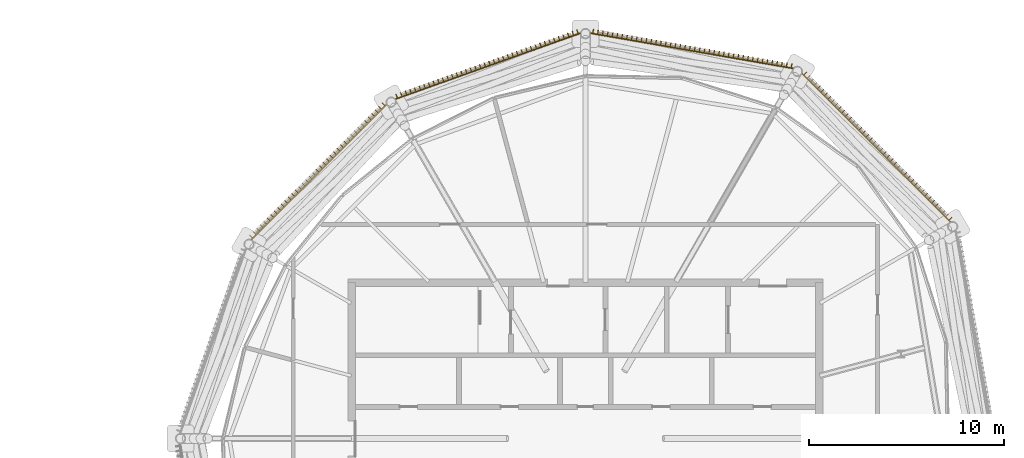
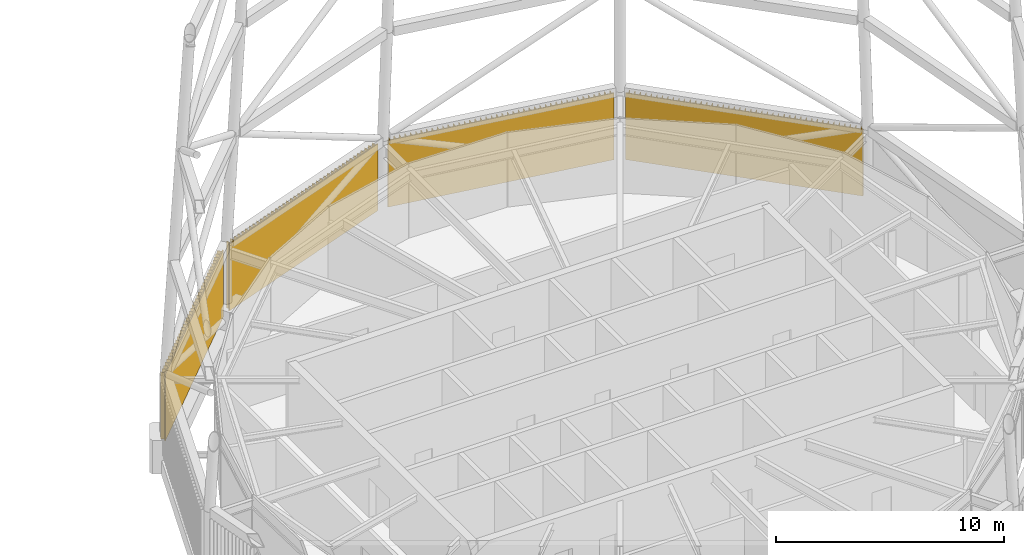
# One storey, part 71 of 71: 4 coverings.
"""IFC4 building model written with IfcOpenShell, lengths in metres."""

from ifc_helpers import new_model, si_unit, direction, frame, origin, place, context, subcontext, project, spatial, polyline, outline, extrude, material, type_object, element, save


model = new_model("IFC4")

# Units and contexts
model_context = context("Model", 3, precision=1e-05, world=origin(), true_north=direction((0.0, 1.0)))
body_context = subcontext(model_context, "Body", "Model", "MODEL_VIEW")
ifc_project = project(units=[si_unit("LENGTHUNIT", "METRE"), si_unit("AREAUNIT", "SQUARE_METRE"), si_unit("VOLUMEUNIT", "CUBIC_METRE"), si_unit("PLANEANGLEUNIT", "RADIAN"), si_unit("MASSUNIT", "GRAM", prefix="KILO")], contexts=[model_context])

# Site, building, storey
site_placement = place(None, origin())
site = spatial("IfcSite", under=ifc_project, at=site_placement, CompositionType="ELEMENT")
building_placement = place(site_placement, origin())
building = spatial("IfcBuilding", under=site, at=building_placement, Name="Rimbun Link Towers", CompositionType="ELEMENT")
storey_placement = place(building_placement, frame((0.0, 0.0, 267.60009765625)))
storey = spatial("IfcBuildingStorey", under=building, at=storey_placement, Name="L65", CompositionType="ELEMENT", Elevation=267.60009765625)

# Coverings
ifc_material = material(Name="Terracotta", Category="masonry")
covering_type = type_object("IfcCoveringType", Name="TERRACOTTA CLADDING screen fins", PredefinedType="CLADDING", material=ifc_material)
covering_1_placement = place(storey_placement, frame((0.0, 0.0, 0.2119140625)))
element("IfcCovering", 1, at=covering_1_placement, inside=storey, type_object=covering_type, Name="TERRACOTTA CLADDING screen", PredefinedType="CLADDING", context=body_context, shape_type="SweptSolid", body=[
    extrude(outline(polyline([(42.441162109375, 19.025390625), (42.33154296875, 19.04443359375), (42.365966796875, 19.241455078125), (42.336181640625, 19.24658203125), (42.302001953125, 19.049560546875), (42.0830078125, 19.087646484375), (42.117431640625, 19.28466796875), (42.087890625, 19.289794921875), (42.053466796875, 19.0927734375), (41.834716796875, 19.130859375), (41.868896484375, 19.327880859375), (41.83935546875, 19.3330078125), (41.804931640625, 19.135986328125), (41.586181640625, 19.17431640625), (41.620361328125, 19.37109375), (41.5908203125, 19.376220703125), (41.556396484375, 19.17919921875), (41.337646484375, 19.21728515625), (41.371826171875, 19.414306640625), (41.34228515625, 19.419677734375), (41.30810546875, 19.222412109375), (41.089111328125, 19.260498046875), (41.123291015625, 19.457763671875), (41.09375, 19.462890625), (41.0595703125, 19.265869140625), (40.840576171875, 19.303955078125), (40.875, 19.5009765625), (40.84521484375, 19.506103515625), (40.81103515625, 19.30908203125), (40.592041015625, 19.34716796875), (40.62646484375, 19.544189453125), (40.5966796875, 19.54931640625), (40.5625, 19.352294921875), (40.343505859375, 19.390380859375), (40.3779296875, 19.58740234375), (40.348388671875, 19.592529296875), (40.31396484375, 19.3955078125), (40.09521484375, 19.43359375), (40.12939453125, 19.630615234375), (40.099853515625, 19.6357421875), (40.0654296875, 19.438720703125), (39.8466796875, 19.476806640625), (39.880859375, 19.673828125), (39.851318359375, 19.678955078125), (39.81689453125, 19.48193359375), (39.59814453125, 19.52001953125), (39.63232421875, 19.717041015625), (39.602783203125, 19.72216796875), (39.568603515625, 19.525146484375), (39.349609375, 19.563232421875), (39.3837890625, 19.76025390625), (39.354248046875, 19.765380859375), (39.320068359375, 19.568359375), (39.10107421875, 19.6064453125), (39.13525390625, 19.803466796875), (39.105712890625, 19.80859375), (39.071533203125, 19.61181640625), (38.8525390625, 19.649658203125), (38.88671875, 19.8466796875), (38.857421875, 19.851806640625), (38.822998046875, 19.65478515625), (38.60400390625, 19.693115234375), (38.63818359375, 19.889892578125), (38.60888671875, 19.895263671875), (38.574462890625, 19.697998046875), (38.355712890625, 19.736083984375), (38.389892578125, 19.933349609375), (38.3603515625, 19.9384765625), (38.325927734375, 19.741455078125), (38.107177734375, 19.779296875), (38.141357421875, 19.9765625), (38.11181640625, 19.981689453125), (38.077392578125, 19.78466796875), (37.858642578125, 19.82275390625), (37.892822265625, 20.019775390625), (37.86328125, 20.02490234375), (37.8291015625, 19.827880859375), (37.610107421875, 19.865966796875), (37.644287109375, 20.06298828125), (37.61474609375, 20.068115234375), (37.58056640625, 19.87109375), (37.361572265625, 19.9091796875), (37.395751953125, 20.106201171875), (37.3662109375, 20.111328125), (37.33203125, 19.914306640625), (37.113037109375, 19.952392578125), (37.147216796875, 20.1494140625), (37.117919921875, 20.154541015625), (37.08349609375, 19.95751953125), (36.864501953125, 19.99560546875), (36.898681640625, 20.192626953125), (36.869384765625, 20.19775390625), (36.8349609375, 20.000732421875), (36.6162109375, 20.038818359375), (36.650390625, 20.23583984375), (36.620849609375, 20.240966796875), (36.58642578125, 20.0439453125), (36.36767578125, 20.08203125), (36.40185546875, 20.279052734375), (36.372314453125, 20.2841796875), (36.337890625, 20.087158203125), (36.119140625, 20.125244140625), (36.1533203125, 20.322509765625), (36.123779296875, 20.327392578125), (36.089599609375, 20.130615234375), (35.87060546875, 20.168701171875), (35.90478515625, 20.365478515625), (35.875244140625, 20.37060546875), (35.841064453125, 20.173583984375), (35.6220703125, 20.2119140625), (35.65625, 20.40869140625), (35.626708984375, 20.4140625), (35.592529296875, 20.216796875), (35.37353515625, 20.2548828125), (35.40771484375, 20.4521484375), (35.37841796875, 20.457275390625), (35.343994140625, 20.26025390625), (35.125, 20.29833984375), (35.1591796875, 20.495361328125), (35.1298828125, 20.50048828125), (35.095458984375, 20.303466796875), (34.87646484375, 20.341552734375), (34.910888671875, 20.53857421875), (34.88134765625, 20.543701171875), (34.846923828125, 20.3466796875), (34.6279296875, 20.384765625), (34.662353515625, 20.581787109375), (34.6328125, 20.5869140625), (34.598388671875, 20.389892578125), (34.37939453125, 20.427978515625), (34.413818359375, 20.625), (34.38427734375, 20.630126953125), (34.35009765625, 20.43310546875), (34.131103515625, 20.47119140625), (34.165283203125, 20.668212890625), (34.1357421875, 20.67333984375), (34.1015625, 20.476318359375), (33.882568359375, 20.514404296875), (33.916748046875, 20.71142578125), (33.88720703125, 20.716552734375), (33.85302734375, 20.51953125), (33.634033203125, 20.5576171875), (33.668212890625, 20.754638671875), (33.638916015625, 20.759765625), (33.6044921875, 20.562744140625), (33.385498046875, 20.600830078125), (33.419921875, 20.7978515625), (33.390380859375, 20.802978515625), (33.35595703125, 20.60595703125), (33.136962890625, 20.64404296875), (33.17138671875, 20.84130859375), (33.141845703125, 20.84619140625), (33.107421875, 20.6494140625), (32.888427734375, 20.6875), (32.9228515625, 20.884521484375), (32.893310546875, 20.889404296875), (32.85888671875, 20.6923828125), (32.639892578125, 20.730712890625), (32.67431640625, 20.927490234375), (32.644775390625, 20.932861328125), (32.610595703125, 20.735595703125), (32.3916015625, 20.773681640625), (32.42578125, 20.970947265625), (32.396240234375, 20.97607421875), (32.362060546875, 20.779052734375), (32.14306640625, 20.817138671875), (32.17724609375, 21.01416015625), (32.147705078125, 21.019287109375), (32.113525390625, 20.822265625), (32.00390625, 20.84130859375), (32.00390625, 20.79052734375), (42.414306640625, 18.979248046875), (42.441162109375, 19.025390625)])), origin(), (0.0, 0.0, 1.0), 3.575927734375),
])
covering_2_placement = place(storey_placement, frame((0.0, 0.0, 0.2119140625)))
element("IfcCovering", 2, at=covering_2_placement, inside=storey, type_object=covering_type, Name="TERRACOTTA CLADDING screen", PredefinedType="CLADDING", context=body_context, shape_type="SweptSolid", body=[
    extrude(outline(polyline([(31.49609375, 20.843505859375), (31.39111328125, 20.80615234375), (31.323974609375, 20.994384765625), (31.295654296875, 20.984375), (31.36279296875, 20.796142578125), (31.153076171875, 20.72119140625), (31.085693359375, 20.909423828125), (31.0576171875, 20.8994140625), (31.124755859375, 20.711181640625), (30.914794921875, 20.63623046875), (30.84765625, 20.82470703125), (30.8193359375, 20.814453125), (30.88671875, 20.626220703125), (30.6767578125, 20.55126953125), (30.609619140625, 20.739501953125), (30.581298828125, 20.7294921875), (30.6484375, 20.541015625), (30.438720703125, 20.46630859375), (30.371337890625, 20.654541015625), (30.34326171875, 20.64453125), (30.410400390625, 20.456298828125), (30.200439453125, 20.38134765625), (30.13330078125, 20.569580078125), (30.10498046875, 20.5595703125), (30.17236328125, 20.37109375), (29.96240234375, 20.29638671875), (29.895263671875, 20.484619140625), (29.866943359375, 20.474609375), (29.93408203125, 20.2861328125), (29.724365234375, 20.211181640625), (29.656982421875, 20.399658203125), (29.62890625, 20.3896484375), (29.696044921875, 20.201416015625), (29.486083984375, 20.12646484375), (29.4189453125, 20.314697265625), (29.390625, 20.3046875), (29.4580078125, 20.1162109375), (29.248046875, 20.04150390625), (29.180908203125, 20.229736328125), (29.152587890625, 20.2197265625), (29.2197265625, 20.03125), (29.010009765625, 19.956298828125), (28.942626953125, 20.144775390625), (28.91455078125, 20.134765625), (28.981689453125, 19.9462890625), (28.771728515625, 19.87158203125), (28.70458984375, 20.059814453125), (28.676513671875, 20.0498046875), (28.74365234375, 19.861328125), (28.53369140625, 19.78662109375), (28.466552734375, 19.974853515625), (28.438232421875, 19.96484375), (28.505615234375, 19.7763671875), (28.295654296875, 19.701416015625), (28.228515625, 19.889892578125), (28.2001953125, 19.8798828125), (28.267333984375, 19.69140625), (28.0576171875, 19.616455078125), (27.990234375, 19.804931640625), (27.9619140625, 19.794921875), (28.029296875, 19.6064453125), (27.8193359375, 19.531494140625), (27.752197265625, 19.719970703125), (27.723876953125, 19.7099609375), (27.791259765625, 19.521484375), (27.581298828125, 19.446533203125), (27.51416015625, 19.635009765625), (27.48583984375, 19.625), (27.552978515625, 19.4365234375), (27.34326171875, 19.361572265625), (27.27587890625, 19.550048828125), (27.247802734375, 19.539794921875), (27.31494140625, 19.3515625), (27.10498046875, 19.276611328125), (27.037841796875, 19.465087890625), (27.009521484375, 19.454833984375), (27.076904296875, 19.2666015625), (26.866943359375, 19.191650390625), (26.7998046875, 19.3798828125), (26.771484375, 19.3701171875), (26.838623046875, 19.181640625), (26.62890625, 19.106689453125), (26.5615234375, 19.295166015625), (26.533447265625, 19.284912109375), (26.6005859375, 19.0966796875), (26.390625, 19.021728515625), (26.323486328125, 19.210205078125), (26.29541015625, 19.199951171875), (26.362548828125, 19.01171875), (26.152587890625, 18.936767578125), (26.08544921875, 19.125), (26.05712890625, 19.114990234375), (26.12451171875, 18.9267578125), (25.91455078125, 18.851806640625), (25.847412109375, 19.040283203125), (25.819091796875, 19.030029296875), (25.88623046875, 18.841796875), (25.676513671875, 18.766845703125), (25.609130859375, 18.955078125), (25.580810546875, 18.945068359375), (25.648193359375, 18.756591796875), (25.438232421875, 18.681884765625), (25.37109375, 18.8701171875), (25.3427734375, 18.860107421875), (25.409912109375, 18.671875), (25.2001953125, 18.596923828125), (25.133056640625, 18.78515625), (25.104736328125, 18.775146484375), (25.171875, 18.5869140625), (24.962158203125, 18.511962890625), (24.89501953125, 18.7001953125), (24.86669921875, 18.690185546875), (24.933837890625, 18.501708984375), (24.72412109375, 18.427001953125), (24.65673828125, 18.615234375), (24.62841796875, 18.605224609375), (24.69580078125, 18.4169921875), (24.48583984375, 18.342041015625), (24.418701171875, 18.5302734375), (24.390380859375, 18.520263671875), (24.45751953125, 18.331787109375), (24.247802734375, 18.257080078125), (24.180419921875, 18.4453125), (24.15234375, 18.435302734375), (24.219482421875, 18.246826171875), (24.009521484375, 18.172119140625), (23.9423828125, 18.3603515625), (23.914306640625, 18.350341796875), (23.9814453125, 18.161865234375), (23.771484375, 18.0869140625), (23.704345703125, 18.275390625), (23.676025390625, 18.265380859375), (23.743408203125, 18.076904296875), (23.533447265625, 18.002197265625), (23.46630859375, 18.1904296875), (23.43798828125, 18.180419921875), (23.505126953125, 17.991943359375), (23.29541015625, 17.9169921875), (23.22802734375, 18.10546875), (23.19970703125, 18.095458984375), (23.26708984375, 17.906982421875), (23.05712890625, 17.83203125), (22.989990234375, 18.0205078125), (22.961669921875, 18.010498046875), (23.02880859375, 17.822021484375), (22.819091796875, 17.747314453125), (22.751953125, 17.935546875), (22.7236328125, 17.92529296875), (22.790771484375, 17.737060546875), (22.5810546875, 17.662109375), (22.513671875, 17.8505859375), (22.485595703125, 17.840576171875), (22.552734375, 17.652099609375), (22.3427734375, 17.5771484375), (22.275634765625, 17.765625), (22.247314453125, 17.755615234375), (22.314697265625, 17.567138671875), (22.104736328125, 17.4921875), (22.03759765625, 17.6806640625), (22.00927734375, 17.67041015625), (22.076416015625, 17.482177734375), (21.9716796875, 17.444580078125), (21.9970703125, 17.400634765625), (31.49609375, 20.79052734375), (31.49609375, 20.843505859375)])), origin(), (0.0, 0.0, 1.0), 3.575927734375),
])
covering_3_placement = place(storey_placement, frame((0.0, 0.0, 0.2119140625)))
element("IfcCovering", 3, at=covering_3_placement, inside=storey, type_object=covering_type, Name="TERRACOTTA CLADDING screen", PredefinedType="CLADDING", context=body_context, shape_type="SweptSolid", body=[
    extrude(outline(polyline([(21.531005859375, 17.19140625), (21.452392578125, 17.11279296875), (21.310791015625, 17.254150390625), (21.289794921875, 17.23291015625), (21.43115234375, 17.091552734375), (21.273681640625, 16.93408203125), (21.132080078125, 17.075439453125), (21.11083984375, 17.05419921875), (21.25244140625, 16.91259765625), (21.0947265625, 16.755126953125), (20.953369140625, 16.896484375), (20.93212890625, 16.87548828125), (21.073486328125, 16.73388671875), (20.916015625, 16.576416015625), (20.774658203125, 16.7177734375), (20.75341796875, 16.696533203125), (20.894775390625, 16.55517578125), (20.7373046875, 16.397705078125), (20.595703125, 16.5390625), (20.57470703125, 16.517822265625), (20.716064453125, 16.37646484375), (20.558349609375, 16.21875), (20.4169921875, 16.360107421875), (20.395751953125, 16.339111328125), (20.537109375, 16.197509765625), (20.379638671875, 16.0400390625), (20.23828125, 16.181396484375), (20.217041015625, 16.16015625), (20.3583984375, 16.018798828125), (20.200927734375, 15.861083984375), (20.059326171875, 16.002685546875), (20.0380859375, 15.9814453125), (20.1796875, 15.840087890625), (20.022216796875, 15.682373046875), (19.880615234375, 15.823974609375), (19.859375, 15.802734375), (20.0009765625, 15.6611328125), (19.84326171875, 15.503662109375), (19.701904296875, 15.64501953125), (19.6806640625, 15.623779296875), (19.822021484375, 15.482421875), (19.66455078125, 15.324951171875), (19.523193359375, 15.46630859375), (19.501953125, 15.445068359375), (19.643310546875, 15.3037109375), (19.485595703125, 15.14599609375), (19.34423828125, 15.28759765625), (19.322998046875, 15.266357421875), (19.464599609375, 15.125), (19.306884765625, 14.96728515625), (19.16552734375, 15.108642578125), (19.144287109375, 15.08740234375), (19.28564453125, 14.946044921875), (19.128173828125, 14.78857421875), (18.98681640625, 14.929931640625), (18.965576171875, 14.90869140625), (19.10693359375, 14.767333984375), (18.94921875, 14.609619140625), (18.807861328125, 14.751220703125), (18.78662109375, 14.72998046875), (18.927978515625, 14.58837890625), (18.7705078125, 14.430908203125), (18.629150390625, 14.572509765625), (18.60791015625, 14.55126953125), (18.749267578125, 14.40966796875), (18.591796875, 14.252197265625), (18.450439453125, 14.3935546875), (18.42919921875, 14.372314453125), (18.570556640625, 14.23095703125), (18.4130859375, 14.073486328125), (18.271484375, 14.21484375), (18.25048828125, 14.193603515625), (18.391845703125, 14.05224609375), (18.234130859375, 13.89453125), (18.0927734375, 14.035888671875), (18.071533203125, 14.014892578125), (18.212890625, 13.873291015625), (18.055419921875, 13.7158203125), (17.9140625, 13.857177734375), (17.892822265625, 13.8359375), (18.0341796875, 13.694580078125), (17.876708984375, 13.537109375), (17.735107421875, 13.678466796875), (17.714111328125, 13.6572265625), (17.85546875, 13.515869140625), (17.69775390625, 13.358154296875), (17.556396484375, 13.49951171875), (17.53515625, 13.478515625), (17.676513671875, 13.3369140625), (17.51904296875, 13.179443359375), (17.377685546875, 13.32080078125), (17.3564453125, 13.299560546875), (17.497802734375, 13.158203125), (17.34033203125, 13.000732421875), (17.19873046875, 13.14208984375), (17.177490234375, 13.120849609375), (17.319091796875, 12.9794921875), (17.16162109375, 12.822021484375), (17.02001953125, 12.96337890625), (16.998779296875, 12.942138671875), (17.140380859375, 12.80078125), (16.982666015625, 12.64306640625), (16.84130859375, 12.784423828125), (16.820068359375, 12.76318359375), (16.96142578125, 12.621826171875), (16.803955078125, 12.46435546875), (16.66259765625, 12.605712890625), (16.641357421875, 12.58447265625), (16.78271484375, 12.443115234375), (16.625, 12.285400390625), (16.483642578125, 12.427001953125), (16.46240234375, 12.40576171875), (16.60400390625, 12.264404296875), (16.4462890625, 12.106689453125), (16.304931640625, 12.248046875), (16.28369140625, 12.226806640625), (16.425048828125, 12.08544921875), (16.267578125, 11.927978515625), (16.126220703125, 12.0693359375), (16.10498046875, 12.048095703125), (16.246337890625, 11.90673828125), (16.0888671875, 11.7490234375), (15.947265625, 11.890625), (15.926025390625, 11.869384765625), (16.067626953125, 11.727783203125), (15.909912109375, 11.5703125), (15.7685546875, 11.7119140625), (15.747314453125, 11.690673828125), (15.888916015625, 11.549072265625), (15.731201171875, 11.3916015625), (15.58984375, 11.532958984375), (15.568603515625, 11.51171875), (15.7099609375, 11.370361328125), (15.552490234375, 11.212890625), (15.410888671875, 11.354248046875), (15.389892578125, 11.3330078125), (15.53125, 11.191650390625), (15.37353515625, 11.033935546875), (15.232177734375, 11.17529296875), (15.2109375, 11.154296875), (15.352294921875, 11.0126953125), (15.19482421875, 10.855224609375), (15.053466796875, 10.99658203125), (15.0322265625, 10.975341796875), (15.173583984375, 10.833984375), (15.01611328125, 10.676513671875), (14.87451171875, 10.81787109375), (14.853515625, 10.796630859375), (14.994873046875, 10.6552734375), (14.83740234375, 10.49755859375), (14.69580078125, 10.63916015625), (14.674560546875, 10.617919921875), (14.81591796875, 10.476318359375), (14.658447265625, 10.31884765625), (14.51708984375, 10.460205078125), (14.495849609375, 10.439208984375), (14.63720703125, 10.297607421875), (14.55859375, 10.218994140625), (14.603271484375, 10.193115234375), (21.556884765625, 17.146728515625), (21.531005859375, 17.19140625)])), origin(), (0.0, 0.0, 1.0), 3.575927734375),
])
covering_4_placement = place(storey_placement, frame((0.0, 0.0, 0.2119140625)))
element("IfcCovering", 4, at=covering_4_placement, inside=storey, type_object=covering_type, Name="TERRACOTTA CLADDING screen", PredefinedType="CLADDING", context=body_context, shape_type="SweptSolid", body=[
    extrude(outline(polyline([(50.52001953125, 11.13037109375), (50.44189453125, 11.20849609375), (50.583251953125, 11.349853515625), (50.56201171875, 11.37109375), (50.420654296875, 11.229736328125), (50.26416015625, 11.38623046875), (50.405517578125, 11.527587890625), (50.384521484375, 11.548828125), (50.242919921875, 11.407470703125), (50.086669921875, 11.563720703125), (50.22802734375, 11.705078125), (50.206787109375, 11.7265625), (50.065185546875, 11.5849609375), (49.908935546875, 11.741455078125), (50.05029296875, 11.8828125), (50.029052734375, 11.904052734375), (49.8876953125, 11.7626953125), (49.731201171875, 11.919189453125), (49.87255859375, 12.060546875), (49.851318359375, 12.081787109375), (49.7099609375, 11.9404296875), (49.553466796875, 12.0966796875), (49.695068359375, 12.23828125), (49.673583984375, 12.259521484375), (49.5322265625, 12.1181640625), (49.3759765625, 12.2744140625), (49.517333984375, 12.416015625), (49.49609375, 12.43701171875), (49.354736328125, 12.295654296875), (49.1982421875, 12.4521484375), (49.339599609375, 12.593505859375), (49.318359375, 12.61474609375), (49.177001953125, 12.473388671875), (49.0205078125, 12.6298828125), (49.161865234375, 12.771240234375), (49.140625, 12.79248046875), (48.999267578125, 12.651123046875), (48.843017578125, 12.8076171875), (48.984375, 12.948974609375), (48.963134765625, 12.97021484375), (48.821533203125, 12.82861328125), (48.665283203125, 12.985107421875), (48.806640625, 13.126708984375), (48.785400390625, 13.147705078125), (48.64404296875, 13.00634765625), (48.487548828125, 13.162841796875), (48.62890625, 13.30419921875), (48.607666015625, 13.325439453125), (48.46630859375, 13.18408203125), (48.309814453125, 13.340576171875), (48.451416015625, 13.48193359375), (48.429931640625, 13.503173828125), (48.28857421875, 13.36181640625), (48.132080078125, 13.518310546875), (48.273681640625, 13.65966796875), (48.25244140625, 13.680908203125), (48.111083984375, 13.539306640625), (47.95458984375, 13.69580078125), (48.095947265625, 13.83740234375), (48.07470703125, 13.8583984375), (47.933349609375, 13.717041015625), (47.77685546875, 13.87353515625), (47.918212890625, 14.014892578125), (47.89697265625, 14.0361328125), (47.755615234375, 13.894775390625), (47.59912109375, 14.05126953125), (47.740478515625, 14.192626953125), (47.719482421875, 14.2138671875), (47.577880859375, 14.072509765625), (47.42138671875, 14.22900390625), (47.56298828125, 14.370361328125), (47.541748046875, 14.3916015625), (47.400390625, 14.25), (47.243896484375, 14.406494140625), (47.38525390625, 14.548095703125), (47.364013671875, 14.569091796875), (47.22265625, 14.427734375), (47.066162109375, 14.584228515625), (47.20751953125, 14.7255859375), (47.186279296875, 14.746826171875), (47.044921875, 14.60546875), (46.888427734375, 14.761962890625), (47.02978515625, 14.9033203125), (47.0087890625, 14.924560546875), (46.8671875, 14.783203125), (46.710693359375, 14.939697265625), (46.852294921875, 15.0810546875), (46.8310546875, 15.102294921875), (46.689697265625, 14.960693359375), (46.533203125, 15.1171875), (46.674560546875, 15.2587890625), (46.6533203125, 15.27978515625), (46.511962890625, 15.138427734375), (46.35546875, 15.294921875), (46.496826171875, 15.436279296875), (46.4755859375, 15.45751953125), (46.334228515625, 15.316162109375), (46.177734375, 15.47265625), (46.319091796875, 15.614013671875), (46.298095703125, 15.63525390625), (46.156494140625, 15.493896484375), (46.0, 15.650390625), (46.1416015625, 15.791748046875), (46.120361328125, 15.81298828125), (45.97900390625, 15.67138671875), (45.822509765625, 15.827880859375), (45.9638671875, 15.969482421875), (45.942626953125, 15.990478515625), (45.80126953125, 15.84912109375), (45.644775390625, 16.005615234375), (45.7861328125, 16.14697265625), (45.764892578125, 16.168212890625), (45.62353515625, 16.02685546875), (45.467041015625, 16.183349609375), (45.6083984375, 16.32470703125), (45.58740234375, 16.345947265625), (45.44580078125, 16.20458984375), (45.289306640625, 16.361083984375), (45.430908203125, 16.50244140625), (45.40966796875, 16.523681640625), (45.268310546875, 16.382080078125), (45.11181640625, 16.53857421875), (45.253173828125, 16.679931640625), (45.23193359375, 16.701416015625), (45.090576171875, 16.559814453125), (44.93408203125, 16.71630859375), (45.075439453125, 16.857666015625), (45.05419921875, 16.87890625), (44.912841796875, 16.737548828125), (44.75634765625, 16.89404296875), (44.897705078125, 17.035400390625), (44.876708984375, 17.056640625), (44.735107421875, 16.915283203125), (44.57861328125, 17.071533203125), (44.72021484375, 17.213134765625), (44.698974609375, 17.234375), (44.5576171875, 17.093017578125), (44.401123046875, 17.249267578125), (44.54248046875, 17.390625), (44.521240234375, 17.411865234375), (44.3798828125, 17.2705078125), (44.223388671875, 17.427001953125), (44.36474609375, 17.568359375), (44.343505859375, 17.589599609375), (44.2021484375, 17.4482421875), (44.045654296875, 17.604736328125), (44.18701171875, 17.74609375), (44.166015625, 17.767333984375), (44.0244140625, 17.6259765625), (43.8681640625, 17.7822265625), (44.009521484375, 17.923583984375), (43.98828125, 17.945068359375), (43.8466796875, 17.803466796875), (43.6904296875, 17.9599609375), (43.831787109375, 18.101318359375), (43.810546875, 18.12255859375), (43.669189453125, 17.981201171875), (43.5126953125, 18.1376953125), (43.654052734375, 18.279052734375), (43.6328125, 18.30029296875), (43.491455078125, 18.158935546875), (43.3349609375, 18.315185546875), (43.4765625, 18.456787109375), (43.455078125, 18.47802734375), (43.313720703125, 18.336669921875), (43.157470703125, 18.492919921875), (43.298828125, 18.634521484375), (43.277587890625, 18.655517578125), (43.13623046875, 18.51416015625), (42.979736328125, 18.670654296875), (43.12109375, 18.81201171875), (43.099853515625, 18.833251953125), (42.95849609375, 18.69189453125), (42.88037109375, 18.77001953125), (42.8544921875, 18.725341796875), (50.475341796875, 11.1044921875), (50.52001953125, 11.13037109375)])), origin(), (0.0, 0.0, 1.0), 3.575927734375),
])

save(model, "model.ifc")
